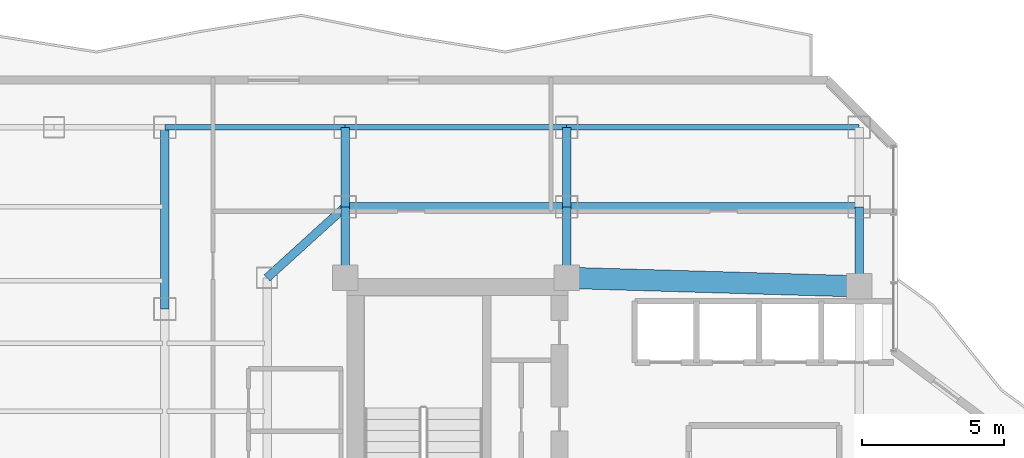
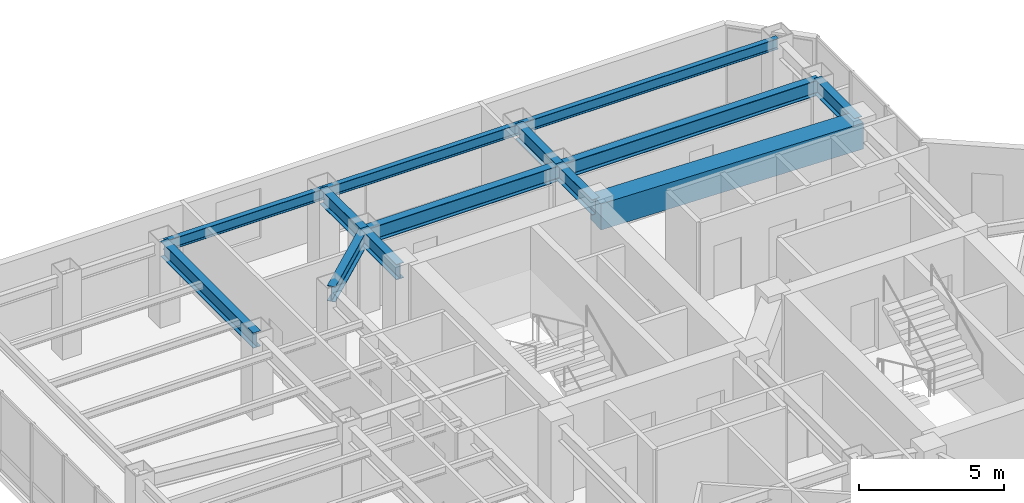
# One storey, part 18 of 27: 13 beams.
"""IFC4 building model written with IfcOpenShell, lengths in metres."""

from ifc_helpers import new_model, si_unit, direction, frame, origin, origin_2d, place, context, subcontext, project, spatial, rectangle, i_section, extrude, material, material_profile, profile_set, type_object, element, save


model = new_model("IFC4")

# Units and contexts
model_context = context("Model", 3, precision=1e-05, world=origin(), true_north=direction((0.0, 1.0)))
body_context = subcontext(model_context, "Body", "Model", "MODEL_VIEW")
ifc_project = project(units=[si_unit("LENGTHUNIT", "METRE"), si_unit("AREAUNIT", "SQUARE_METRE"), si_unit("VOLUMEUNIT", "CUBIC_METRE"), si_unit("PLANEANGLEUNIT", "RADIAN"), si_unit("MASSUNIT", "GRAM", prefix="KILO")], contexts=[model_context])

# Site, building, storey
site_placement = place(None, origin())
site = spatial("IfcSite", under=ifc_project, at=site_placement, CompositionType="ELEMENT")
building_placement = place(site_placement, origin())
building = spatial("IfcBuilding", under=site, at=building_placement, Name="Hatsunagi Terrace Concourse", CompositionType="ELEMENT")
storey_placement = place(building_placement, frame((0.0, 0.0, 174.449951171875)))
storey = spatial("IfcBuildingStorey", under=building, at=storey_placement, Name="L46", CompositionType="ELEMENT", Elevation=174.449951171875)

# Beams
ifc_material_1 = material(Name="Concrete Fc48", Category="concrete")
ifc_material_profile_1 = material_profile(ifc_material_1, rectangle(XDim=0.75, YDim=1.10009765625, at=origin_2d()), Name="RC-750x1100")
ifc_profile_set_1 = profile_set([ifc_material_profile_1], Name="Concrete Fc48")
beam_type_1 = type_object("IfcBeamType", Name="CoreCouplingBeam_RC_750x1100", PredefinedType="BEAM", material=ifc_profile_set_1)
beam_1_placement = place(storey_placement, frame((33.35009765625, 43.300048828125, 2.800048828125), z_axis=(0.999575947545, -0.029119153303, 0.0), x_axis=(0.029119153303, 0.999575947545, 0.0)))
element("IfcBeam", 1, at=beam_1_placement, inside=storey, type_object=beam_type_1, Name="Beam CB-02 CB-L46-2", PredefinedType="BEAM", context=body_context, shape_type="SweptSolid", body=[
    extrude(rectangle(XDim=0.75, YDim=1.10009765625, at=origin_2d()), origin(), (0.0, 0.0, 1.0), 10.30419921875),
])
ifc_material_2 = material(Name="Steel SN490B", Category="steel")
ifc_material_profile_2 = material_profile(ifc_material_2, i_section(OverallWidth=0.300048828125, OverallDepth=0.64990234375, WebThickness=0.012939453125, FlangeThickness=0.02197265625, FilletRadius=0.01806640625, at=origin_2d()), Name="H-650x300x13x22")
ifc_profile_set_2 = profile_set([ifc_material_profile_2], Name="Steel SN490B")
beam_type_2 = type_object("IfcBeamType", Name="OfficeLowGirder_H_650x300", PredefinedType="BEAM", material=ifc_profile_set_2)
for number, where, z_axis, x_axis, name in (
    (2, (25.550048828125, 43.300048828125, 3.025146484375), (0.0, 1.0, 0.0), (-1.0, 0.0, 0.0), "Beam G-05 BM-L46-CN1"),
    (3, (33.35009765625, 43.300048828125, 3.025146484375), (0.0, 1.0, 0.0), (-1.0, 0.0, 0.0), "Beam G-05 BM-L46-CN2"),
):
    element("IfcBeam", number, at=place(storey_placement, frame(where, z_axis=z_axis, x_axis=x_axis)), inside=storey, type_object=beam_type_2, Name=name, PredefinedType="BEAM", context=body_context, shape_type="SweptSolid", body=[
        extrude(i_section(OverallWidth=0.300048828125, OverallDepth=0.64990234375, WebThickness=0.012939453125, FlangeThickness=0.02197265625, FilletRadius=0.01806640625, at=origin_2d()), origin(), (0.0, 0.0, 1.0), 2.5),
    ])
beam_2_placement = place(storey_placement, frame((43.64990234375, 43.0, 3.025146484375), z_axis=(0.0, 1.0, 0.0), x_axis=(-1.0, 0.0, 0.0)))
element("IfcBeam", 4, at=beam_2_placement, inside=storey, type_object=beam_type_2, Name="Beam G-05 BM-L46-CN3", PredefinedType="BEAM", context=body_context, shape_type="SweptSolid", body=[
    extrude(i_section(OverallWidth=0.300048828125, OverallDepth=0.64990234375, WebThickness=0.012939453125, FlangeThickness=0.02197265625, FilletRadius=0.01806640625, at=origin_2d()), origin(), (0.0, 0.0, 1.0), 2.800048828125),
])
beam_3_placement = place(storey_placement, frame((25.550048828125, 45.800048828125, 3.025146484375), z_axis=(1.0, 0.0, 0.0), x_axis=(0.0, 1.0, 0.0)))
element("IfcBeam", 5, at=beam_3_placement, inside=storey, type_object=beam_type_2, Name="Beam G-05 BM-L46-CNEW1", PredefinedType="BEAM", context=body_context, shape_type="SweptSolid", body=[
    extrude(i_section(OverallWidth=0.300048828125, OverallDepth=0.64990234375, WebThickness=0.012939453125, FlangeThickness=0.02197265625, FilletRadius=0.01806640625, at=origin_2d()), origin(), (0.0, 0.0, 1.0), 7.800048828125),
])
beam_4_placement = place(storey_placement, frame((33.35009765625, 45.800048828125, 3.025146484375), z_axis=(1.0, 0.0, 0.0), x_axis=(0.0, 1.0, 0.0)))
element("IfcBeam", 6, at=beam_4_placement, inside=storey, type_object=beam_type_2, Name="Beam G-05 BM-L46-CNEW2", PredefinedType="BEAM", context=body_context, shape_type="SweptSolid", body=[
    extrude(i_section(OverallWidth=0.300048828125, OverallDepth=0.64990234375, WebThickness=0.012939453125, FlangeThickness=0.02197265625, FilletRadius=0.01806640625, at=origin_2d()), origin(), (0.0, 0.0, 1.0), 10.2998046875),
])
for number, where, z_axis, x_axis, name in (
    (7, (25.550048828125, 45.800048828125, 3.025146484375), (0.0, 1.0, 0.0), (-1.0, 0.0, 0.0), "Beam G-05 BM-L46-KN-WN4"),
    (8, (33.35009765625, 45.800048828125, 3.025146484375), (0.0, 1.0, 0.0), (-1.0, 0.0, 0.0), "Beam G-05 BM-L46-KN-WN5"),
):
    element("IfcBeam", number, at=place(storey_placement, frame(where, z_axis=z_axis, x_axis=x_axis)), inside=storey, type_object=beam_type_2, Name=name, PredefinedType="BEAM", context=body_context, shape_type="SweptSolid", body=[
        extrude(i_section(OverallWidth=0.300048828125, OverallDepth=0.64990234375, WebThickness=0.012939453125, FlangeThickness=0.02197265625, FilletRadius=0.01806640625, at=origin_2d()), origin(), (0.0, 0.0, 1.0), 2.800048828125),
    ])
beam_5_placement = place(storey_placement, frame((22.800048828125, 43.300048828125, 3.025146484375), z_axis=(0.739940073396, 0.672672793996, 0.0), x_axis=(-0.672672793996, 0.739940073396, 0.0)))
element("IfcBeam", 9, at=beam_5_placement, inside=storey, type_object=beam_type_2, Name="Beam G-05 BM-L46-CWEW-N", PredefinedType="BEAM", context=body_context, shape_type="SweptSolid", body=[
    extrude(i_section(OverallWidth=0.300048828125, OverallDepth=0.64990234375, WebThickness=0.012939453125, FlangeThickness=0.02197265625, FilletRadius=0.01806640625, at=origin_2d()), origin(), (0.0, 0.0, 1.0), 3.716552734375),
])
beam_6_placement = place(storey_placement, frame((19.199951171875, 42.199951171875, 3.025146484375), z_axis=(0.0, 1.0, 0.0), x_axis=(-1.0, 0.0, 0.0)))
element("IfcBeam", 10, at=beam_6_placement, inside=storey, type_object=beam_type_2, Name="Beam G-05 BM-L46-NS-19-42", PredefinedType="BEAM", context=body_context, shape_type="SweptSolid", body=[
    extrude(i_section(OverallWidth=0.300048828125, OverallDepth=0.64990234375, WebThickness=0.012939453125, FlangeThickness=0.02197265625, FilletRadius=0.01806640625, at=origin_2d()), origin(), (0.0, 0.0, 1.0), 6.400146484375),
])
ifc_material_3 = material(Name="Steel SN490B", Category="steel")
ifc_material_profile_3 = material_profile(ifc_material_3, i_section(OverallWidth=0.199951171875, OverallDepth=0.449951171875, WebThickness=0.009033203125, FlangeThickness=0.013916015625, FilletRadius=0.01611328125, at=origin_2d()), Name="H-450x200x9x14")
ifc_profile_set_3 = profile_set([ifc_material_profile_3], Name="Steel SN490B")
beam_type_3 = type_object("IfcBeamType", Name="PerimeterSpandrel_H_450x200", PredefinedType="SPANDREL", material=ifc_profile_set_3)
beam_7_placement = place(storey_placement, frame((19.199951171875, 48.60009765625, 3.125), z_axis=(1.0, 0.0, 0.0), x_axis=(0.0, 1.0, 0.0)))
element("IfcBeam", 11, at=beam_7_placement, inside=storey, type_object=beam_type_3, Name="Beam SP-02 BM-L46-WN-19", PredefinedType="SPANDREL", context=body_context, shape_type="SweptSolid", body=[
    extrude(i_section(OverallWidth=0.199951171875, OverallDepth=0.449951171875, WebThickness=0.009033203125, FlangeThickness=0.013916015625, FilletRadius=0.01611328125, at=origin_2d()), origin(), (0.0, 0.0, 1.0), 6.35009765625),
])
beam_8_placement = place(storey_placement, frame((25.550048828125, 48.60009765625, 3.125), z_axis=(1.0, 0.0, 0.0), x_axis=(0.0, 1.0, 0.0)))
element("IfcBeam", 12, at=beam_8_placement, inside=storey, type_object=beam_type_3, Name="Beam SP-02 BM-L46-WN-25", PredefinedType="SPANDREL", context=body_context, shape_type="SweptSolid", body=[
    extrude(i_section(OverallWidth=0.199951171875, OverallDepth=0.449951171875, WebThickness=0.009033203125, FlangeThickness=0.013916015625, FilletRadius=0.01611328125, at=origin_2d()), origin(), (0.0, 0.0, 1.0), 7.800048828125),
])
beam_9_placement = place(storey_placement, frame((33.35009765625, 48.60009765625, 3.125), z_axis=(1.0, 0.0, 0.0), x_axis=(0.0, 1.0, 0.0)))
element("IfcBeam", 13, at=beam_9_placement, inside=storey, type_object=beam_type_3, Name="Beam SP-02 BM-L46-WN-33", PredefinedType="SPANDREL", context=body_context, shape_type="SweptSolid", body=[
    extrude(i_section(OverallWidth=0.199951171875, OverallDepth=0.449951171875, WebThickness=0.009033203125, FlangeThickness=0.013916015625, FilletRadius=0.01611328125, at=origin_2d()), origin(), (0.0, 0.0, 1.0), 10.2998046875),
])

save(model, "model.ifc")
